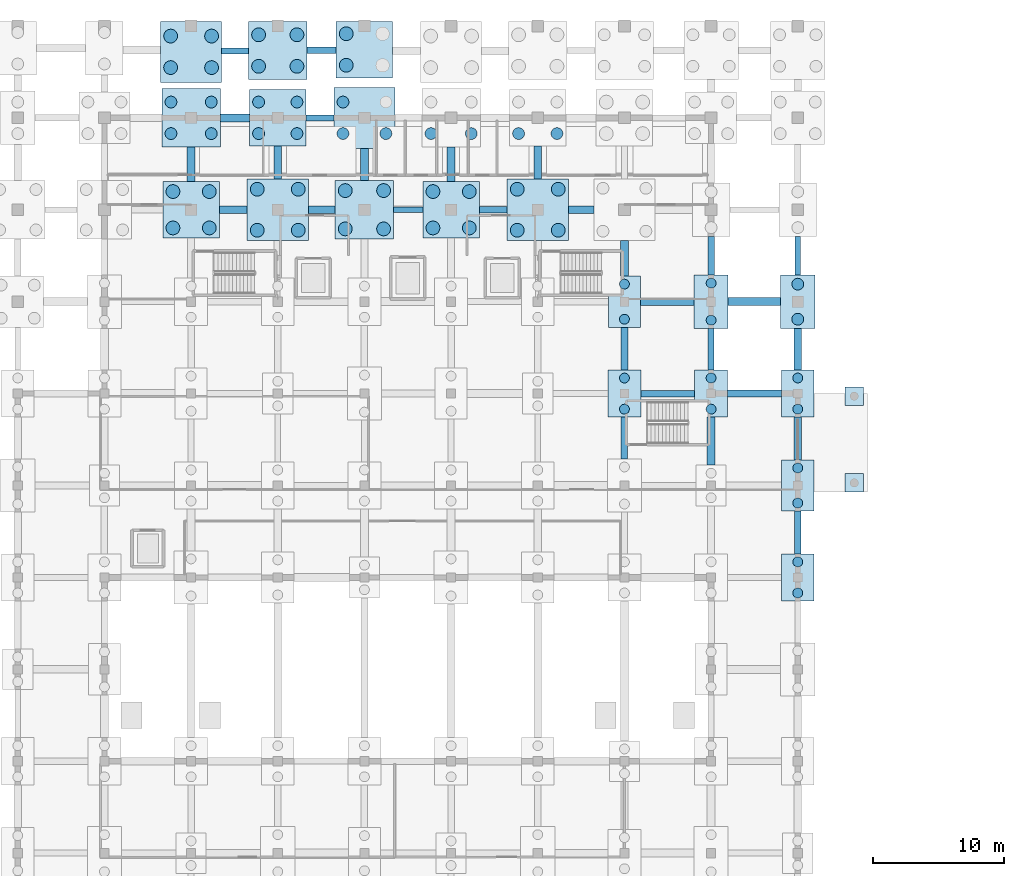
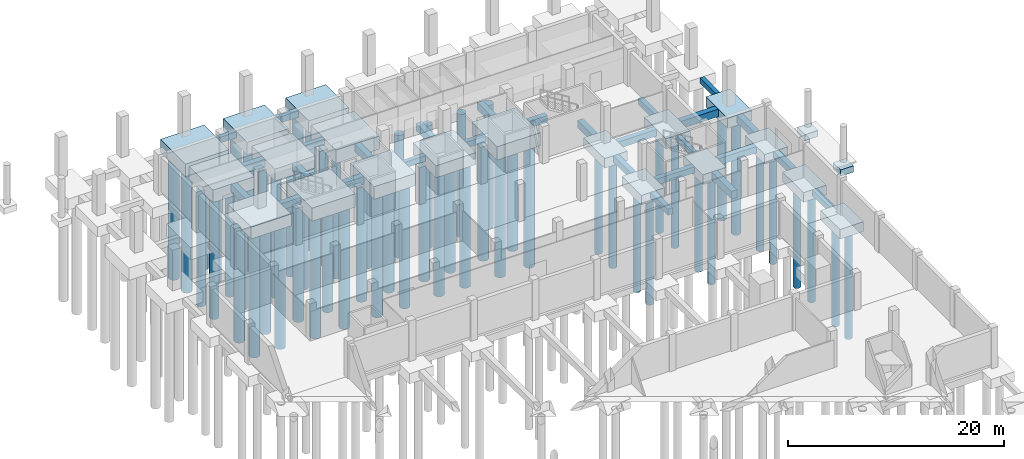
# One storey, part 10 of 27: 61 piles, 49 footings.
"""IFC4 building model written with IfcOpenShell, lengths in metres."""

from ifc_helpers import new_model, si_unit, direction, frame, origin, origin_2d, place, context, subcontext, project, spatial, rectangle, circle, extrude, material, material_profile, profile_set, type_object, element, save


model = new_model("IFC4")

# Units and contexts
model_context = context("Model", 3, precision=1e-05, world=origin(), true_north=direction((0.0, 1.0)))
body_context = subcontext(model_context, "Body", "Model", "MODEL_VIEW")
ifc_project = project(units=[si_unit("LENGTHUNIT", "METRE"), si_unit("AREAUNIT", "SQUARE_METRE"), si_unit("VOLUMEUNIT", "CUBIC_METRE"), si_unit("PLANEANGLEUNIT", "RADIAN"), si_unit("MASSUNIT", "GRAM", prefix="KILO")], contexts=[model_context])

# Site, building, storey
site_placement = place(None, origin())
site = spatial("IfcSite", under=ifc_project, at=site_placement, CompositionType="ELEMENT")
building_placement = place(site_placement, origin())
building = spatial("IfcBuilding", under=site, at=building_placement, Name="Ciguamira Faculty of Natural Sciences", CompositionType="ELEMENT")
storey_placement = place(building_placement, frame((0.0, 0.0, -4.199951171875)))
storey = spatial("IfcBuildingStorey", under=building, at=storey_placement, Name="B1", CompositionType="ELEMENT", Elevation=-4.199951171875)

# Piles
ifc_material = material(Name="Concrete C35/45", Category="concrete")
ifc_material_profile_1 = material_profile(ifc_material, circle(Radius=0.375, at=origin_2d()), Name="PILE-BORED-750")
ifc_profile_set_1 = profile_set([ifc_material_profile_1], Name="Concrete C35/45")
pile_type_1 = type_object("IfcPileType", Name="BoredPile_BP-02_750", PredefinedType="BORED", material=ifc_profile_set_1)
for number, where, z_axis, x_axis, name in (
    (1, (103.5, 85.81494140625, -1.400146484375), (0.0, 0.0, -1.0), (1.0, 0.0, 0.0), "B1 bored pile 147-1"),
    (2, (103.5, 88.18505859375, -1.400146484375), (0.0, 0.0, -1.0), (1.0, 0.0, 0.0), "B1 bored pile 147-2"),
    (3, (103.5, 92.6650390625, -1.400146484375), (0.0, 0.0, -1.0), (1.0, 0.0, 0.0), "B1 bored pile 148-1"),
    (4, (103.5, 95.3349609375, -1.400146484375), (0.0, 0.0, -1.0), (1.0, 0.0, 0.0), "B1 bored pile 148-2"),
    (5, (110.10009765625, 85.81494140625, -1.400146484375), (0.0, 0.0, -1.0), (1.0, 0.0, 0.0), "B1 bored pile 163-1"),
    (6, (110.10009765625, 88.18505859375, -1.400146484375), (0.0, 0.0, -1.0), (1.0, 0.0, 0.0), "B1 bored pile 163-2"),
):
    element("IfcPile", number, at=place(storey_placement, frame(where, z_axis=z_axis, x_axis=x_axis)), inside=storey, type_object=pile_type_1, Name=name, PredefinedType="BORED", context=body_context, shape_type="SweptSolid", body=[
        extrude(circle(Radius=0.375, at=origin_2d()), origin(), (0.0, 0.0, 1.0), 12.0),
    ])
for number, where, z_axis, x_axis, name in (
    (7, (110.10009765625, 92.590087890625, -1.449951171875), (0.0, 0.0, -1.0), (1.0, 0.0, 0.0), "B1 bored pile 164-1"),
    (8, (110.10009765625, 95.409912109375, -1.449951171875), (0.0, 0.0, -1.0), (1.0, 0.0, 0.0), "B1 bored pile 164-2"),
):
    element("IfcPile", number, at=place(storey_placement, frame(where, z_axis=z_axis, x_axis=x_axis)), inside=storey, type_object=pile_type_1, Name=name, PredefinedType="BORED", context=body_context, shape_type="SweptSolid", body=[
        extrude(circle(Radius=0.375, at=origin_2d()), origin(), (0.0, 0.0, 1.0), 11.949951171875),
    ])
for number, where, z_axis, x_axis, name in (
    (9, (116.699951171875, 71.81494140625, -1.400146484375), (0.0, 0.0, -1.0), (1.0, 0.0, 0.0), "B1 bored pile 177-1"),
    (10, (116.699951171875, 74.18505859375, -1.400146484375), (0.0, 0.0, -1.0), (1.0, 0.0, 0.0), "B1 bored pile 177-2"),
    (11, (116.699951171875, 78.6650390625, -1.400146484375), (0.0, 0.0, -1.0), (1.0, 0.0, 0.0), "B1 bored pile 178-1"),
    (12, (116.699951171875, 81.3349609375, -1.400146484375), (0.0, 0.0, -1.0), (1.0, 0.0, 0.0), "B1 bored pile 178-2"),
    (13, (116.699951171875, 85.81494140625, -1.400146484375), (0.0, 0.0, -1.0), (1.0, 0.0, 0.0), "B1 bored pile 179-1"),
    (14, (116.699951171875, 88.18505859375, -1.400146484375), (0.0, 0.0, -1.0), (1.0, 0.0, 0.0), "B1 bored pile 179-2"),
):
    element("IfcPile", number, at=place(storey_placement, frame(where, z_axis=z_axis, x_axis=x_axis)), inside=storey, type_object=pile_type_1, Name=name, PredefinedType="BORED", context=body_context, shape_type="SweptSolid", body=[
        extrude(circle(Radius=0.375, at=origin_2d()), origin(), (0.0, 0.0, 1.0), 12.0),
    ])
ifc_material_profile_2 = material_profile(ifc_material, circle(Radius=0.449951171875, at=origin_2d()), Name="PILE-BORED-900")
ifc_profile_set_2 = profile_set([ifc_material_profile_2], Name="Concrete C35/45")
pile_type_2 = type_object("IfcPileType", Name="BoredPile_BP-03_900", PredefinedType="BORED", material=ifc_profile_set_2)
for number, where, z_axis, x_axis, name in (
    (15, (68.965087890625, 106.800048828125, -1.699951171875), (0.0, 0.0, -1.0), (1.0, 0.0, 0.0), "B1 bored pile 079-1"),
    (16, (72.034912109375, 106.800048828125, -1.699951171875), (0.0, 0.0, -1.0), (1.0, 0.0, 0.0), "B1 bored pile 079-2"),
    (17, (68.965087890625, 109.199951171875, -1.699951171875), (0.0, 0.0, -1.0), (1.0, 0.0, 0.0), "B1 bored pile 079-3"),
    (18, (72.034912109375, 109.199951171875, -1.699951171875), (0.0, 0.0, -1.0), (1.0, 0.0, 0.0), "B1 bored pile 079-4"),
):
    element("IfcPile", number, at=place(storey_placement, frame(where, z_axis=z_axis, x_axis=x_axis)), inside=storey, type_object=pile_type_2, Name=name, PredefinedType="BORED", context=body_context, shape_type="SweptSolid", body=[
        extrude(circle(Radius=0.449951171875, at=origin_2d()), origin(), (0.0, 0.0, 1.0), 13.89990234375),
    ])
for number, where, z_axis, x_axis, name in (
    (19, (75.639892578125, 106.800048828125, -1.650146484375), (0.0, 0.0, -1.0), (1.0, 0.0, 0.0), "B1 bored pile 093-1"),
    (20, (78.56005859375, 106.800048828125, -1.650146484375), (0.0, 0.0, -1.0), (1.0, 0.0, 0.0), "B1 bored pile 093-2"),
    (21, (75.639892578125, 109.199951171875, -1.650146484375), (0.0, 0.0, -1.0), (1.0, 0.0, 0.0), "B1 bored pile 093-3"),
    (22, (78.56005859375, 109.199951171875, -1.650146484375), (0.0, 0.0, -1.0), (1.0, 0.0, 0.0), "B1 bored pile 093-4"),
):
    element("IfcPile", number, at=place(storey_placement, frame(where, z_axis=z_axis, x_axis=x_axis)), inside=storey, type_object=pile_type_2, Name=name, PredefinedType="BORED", context=body_context, shape_type="SweptSolid", body=[
        extrude(circle(Radius=0.449951171875, at=origin_2d()), origin(), (0.0, 0.0, 1.0), 13.949951171875),
    ])
for number, where, z_axis, x_axis, name in (
    (23, (82.06494140625, 106.800048828125, -1.800048828125), (0.0, 0.0, -1.0), (1.0, 0.0, 0.0), "B1 bored pile 107-1"),
    (24, (85.3349609375, 106.800048828125, -1.800048828125), (0.0, 0.0, -1.0), (1.0, 0.0, 0.0), "B1 bored pile 107-2"),
    (25, (82.06494140625, 109.199951171875, -1.800048828125), (0.0, 0.0, -1.0), (1.0, 0.0, 0.0), "B1 bored pile 107-3"),
):
    element("IfcPile", number, at=place(storey_placement, frame(where, z_axis=z_axis, x_axis=x_axis)), inside=storey, type_object=pile_type_2, Name=name, PredefinedType="BORED", context=body_context, shape_type="SweptSolid", body=[
        extrude(circle(Radius=0.449951171875, at=origin_2d()), origin(), (0.0, 0.0, 1.0), 13.800048828125),
    ])
for number, where, z_axis, x_axis, name in (
    (26, (88.764892578125, 106.800048828125, -1.699951171875), (0.0, 0.0, -1.0), (1.0, 0.0, 0.0), "B1 bored pile 121-1"),
    (27, (91.8349609375, 106.800048828125, -1.699951171875), (0.0, 0.0, -1.0), (1.0, 0.0, 0.0), "B1 bored pile 121-2"),
):
    element("IfcPile", number, at=place(storey_placement, frame(where, z_axis=z_axis, x_axis=x_axis)), inside=storey, type_object=pile_type_2, Name=name, PredefinedType="BORED", context=body_context, shape_type="SweptSolid", body=[
        extrude(circle(Radius=0.449951171875, at=origin_2d()), origin(), (0.0, 0.0, 1.0), 13.89990234375),
    ])
for number, where, z_axis, x_axis, name in (
    (28, (95.43994140625, 106.800048828125, -1.650146484375), (0.0, 0.0, -1.0), (1.0, 0.0, 0.0), "B1 bored pile 135-1"),
    (29, (98.360107421875, 106.800048828125, -1.650146484375), (0.0, 0.0, -1.0), (1.0, 0.0, 0.0), "B1 bored pile 135-2"),
):
    element("IfcPile", number, at=place(storey_placement, frame(where, z_axis=z_axis, x_axis=x_axis)), inside=storey, type_object=pile_type_2, Name=name, PredefinedType="BORED", context=body_context, shape_type="SweptSolid", body=[
        extrude(circle(Radius=0.449951171875, at=origin_2d()), origin(), (0.0, 0.0, 1.0), 13.949951171875),
    ])
for number, where, z_axis, x_axis, name in (
    (30, (116.699951171875, 92.6650390625, -1.449951171875), (0.0, 0.0, -1.0), (1.0, 0.0, 0.0), "B1 bored pile 180-1"),
    (31, (116.699951171875, 95.3349609375, -1.449951171875), (0.0, 0.0, -1.0), (1.0, 0.0, 0.0), "B1 bored pile 180-2"),
):
    element("IfcPile", number, at=place(storey_placement, frame(where, z_axis=z_axis, x_axis=x_axis)), inside=storey, type_object=pile_type_2, Name=name, PredefinedType="BORED", context=body_context, shape_type="SweptSolid", body=[
        extrude(circle(Radius=0.449951171875, at=origin_2d()), origin(), (0.0, 0.0, 1.0), 12.75),
    ])
ifc_material_profile_3 = material_profile(ifc_material, circle(Radius=0.52490234375, at=origin_2d()), Name="PILE-BORED-1050")
ifc_profile_set_3 = profile_set([ifc_material_profile_3], Name="Concrete C35/45")
pile_type_3 = type_object("IfcPileType", Name="BoredPile_BP-04_1050", PredefinedType="BORED", material=ifc_profile_set_3)
for number, where, z_axis, x_axis, name in (
    (32, (69.114990234375, 99.614990234375, -1.650146484375), (0.0, 0.0, -1.0), (1.0, 0.0, 0.0), "B1 bored pile 078-1"),
    (33, (71.885009765625, 99.614990234375, -1.650146484375), (0.0, 0.0, -1.0), (1.0, 0.0, 0.0), "B1 bored pile 078-2"),
    (34, (69.114990234375, 102.385009765625, -1.650146484375), (0.0, 0.0, -1.0), (1.0, 0.0, 0.0), "B1 bored pile 078-3"),
    (35, (71.885009765625, 102.385009765625, -1.650146484375), (0.0, 0.0, -1.0), (1.0, 0.0, 0.0), "B1 bored pile 078-4"),
):
    element("IfcPile", number, at=place(storey_placement, frame(where, z_axis=z_axis, x_axis=x_axis)), inside=storey, type_object=pile_type_3, Name=name, PredefinedType="BORED", context=body_context, shape_type="SweptSolid", body=[
        extrude(circle(Radius=0.52490234375, at=origin_2d()), origin(), (0.0, 0.0, 1.0), 13.949951171875),
    ])
for number, where, z_axis, x_axis, name in (
    (36, (68.93994140625, 111.824951171875, -1.800048828125), (0.0, 0.0, -1.0), (1.0, 0.0, 0.0), "B1 bored pile 080-1"),
    (37, (72.06005859375, 111.824951171875, -1.800048828125), (0.0, 0.0, -1.0), (1.0, 0.0, 0.0), "B1 bored pile 080-2"),
    (38, (68.93994140625, 114.22509765625, -1.800048828125), (0.0, 0.0, -1.0), (1.0, 0.0, 0.0), "B1 bored pile 080-3"),
    (39, (72.06005859375, 114.22509765625, -1.800048828125), (0.0, 0.0, -1.0), (1.0, 0.0, 0.0), "B1 bored pile 080-4"),
    (40, (75.5400390625, 99.43994140625, -1.800048828125), (0.0, 0.0, -1.0), (1.0, 0.0, 0.0), "B1 bored pile 092-1"),
    (41, (78.659912109375, 99.43994140625, -1.800048828125), (0.0, 0.0, -1.0), (1.0, 0.0, 0.0), "B1 bored pile 092-2"),
    (42, (75.5400390625, 102.56005859375, -1.800048828125), (0.0, 0.0, -1.0), (1.0, 0.0, 0.0), "B1 bored pile 092-3"),
    (43, (78.659912109375, 102.56005859375, -1.800048828125), (0.0, 0.0, -1.0), (1.0, 0.0, 0.0), "B1 bored pile 092-4"),
):
    element("IfcPile", number, at=place(storey_placement, frame(where, z_axis=z_axis, x_axis=x_axis)), inside=storey, type_object=pile_type_3, Name=name, PredefinedType="BORED", context=body_context, shape_type="SweptSolid", body=[
        extrude(circle(Radius=0.52490234375, at=origin_2d()), origin(), (0.0, 0.0, 1.0), 13.800048828125),
    ])
for number, where, z_axis, x_axis, name in (
    (44, (75.639892578125, 111.925048828125, -1.699951171875), (0.0, 0.0, -1.0), (1.0, 0.0, 0.0), "B1 bored pile 094-1"),
    (45, (78.56005859375, 111.925048828125, -1.699951171875), (0.0, 0.0, -1.0), (1.0, 0.0, 0.0), "B1 bored pile 094-2"),
    (46, (75.639892578125, 114.324951171875, -1.699951171875), (0.0, 0.0, -1.0), (1.0, 0.0, 0.0), "B1 bored pile 094-3"),
    (47, (78.56005859375, 114.324951171875, -1.699951171875), (0.0, 0.0, -1.0), (1.0, 0.0, 0.0), "B1 bored pile 094-4"),
    (48, (82.239990234375, 99.5400390625, -1.699951171875), (0.0, 0.0, -1.0), (1.0, 0.0, 0.0), "B1 bored pile 106-1"),
    (49, (85.159912109375, 99.5400390625, -1.699951171875), (0.0, 0.0, -1.0), (1.0, 0.0, 0.0), "B1 bored pile 106-2"),
    (50, (82.239990234375, 102.4599609375, -1.699951171875), (0.0, 0.0, -1.0), (1.0, 0.0, 0.0), "B1 bored pile 106-3"),
    (51, (85.159912109375, 102.4599609375, -1.699951171875), (0.0, 0.0, -1.0), (1.0, 0.0, 0.0), "B1 bored pile 106-4"),
):
    element("IfcPile", number, at=place(storey_placement, frame(where, z_axis=z_axis, x_axis=x_axis)), inside=storey, type_object=pile_type_3, Name=name, PredefinedType="BORED", context=body_context, shape_type="SweptSolid", body=[
        extrude(circle(Radius=0.52490234375, at=origin_2d()), origin(), (0.0, 0.0, 1.0), 13.89990234375),
    ])
for number, where, z_axis, x_axis, name in (
    (52, (82.31494140625, 112.0, -1.650146484375), (0.0, 0.0, -1.0), (1.0, 0.0, 0.0), "B1 bored pile 108-1"),
    (53, (82.31494140625, 114.39990234375, -1.650146484375), (0.0, 0.0, -1.0), (1.0, 0.0, 0.0), "B1 bored pile 108-3"),
    (54, (88.9150390625, 99.614990234375, -1.650146484375), (0.0, 0.0, -1.0), (1.0, 0.0, 0.0), "B1 bored pile 120-1"),
    (55, (91.68505859375, 99.614990234375, -1.650146484375), (0.0, 0.0, -1.0), (1.0, 0.0, 0.0), "B1 bored pile 120-2"),
    (56, (88.9150390625, 102.385009765625, -1.650146484375), (0.0, 0.0, -1.0), (1.0, 0.0, 0.0), "B1 bored pile 120-3"),
    (57, (91.68505859375, 102.385009765625, -1.650146484375), (0.0, 0.0, -1.0), (1.0, 0.0, 0.0), "B1 bored pile 120-4"),
):
    element("IfcPile", number, at=place(storey_placement, frame(where, z_axis=z_axis, x_axis=x_axis)), inside=storey, type_object=pile_type_3, Name=name, PredefinedType="BORED", context=body_context, shape_type="SweptSolid", body=[
        extrude(circle(Radius=0.52490234375, at=origin_2d()), origin(), (0.0, 0.0, 1.0), 13.949951171875),
    ])
for number, where, z_axis, x_axis, name in (
    (58, (95.340087890625, 99.43994140625, -1.800048828125), (0.0, 0.0, -1.0), (1.0, 0.0, 0.0), "B1 bored pile 134-1"),
    (59, (98.4599609375, 99.43994140625, -1.800048828125), (0.0, 0.0, -1.0), (1.0, 0.0, 0.0), "B1 bored pile 134-2"),
    (60, (95.340087890625, 102.56005859375, -1.800048828125), (0.0, 0.0, -1.0), (1.0, 0.0, 0.0), "B1 bored pile 134-3"),
    (61, (98.4599609375, 102.56005859375, -1.800048828125), (0.0, 0.0, -1.0), (1.0, 0.0, 0.0), "B1 bored pile 134-4"),
):
    element("IfcPile", number, at=place(storey_placement, frame(where, z_axis=z_axis, x_axis=x_axis)), inside=storey, type_object=pile_type_3, Name=name, PredefinedType="BORED", context=body_context, shape_type="SweptSolid", body=[
        extrude(circle(Radius=0.52490234375, at=origin_2d()), origin(), (0.0, 0.0, 1.0), 13.800048828125),
    ])

# Footings
ifc_material_profile_4 = material_profile(ifc_material, rectangle(XDim=0.449951171875, YDim=0.64990234375, at=origin_2d()), Name="RC-FB-450X650")
ifc_profile_set_4 = profile_set([ifc_material_profile_4], Name="Concrete C35/45")
footing_type_1 = type_object("IfcFootingType", Name="FootingBeam_FB-01_450x650", PredefinedType="FOOTING_BEAM", material=ifc_profile_set_4)
footing_1_placement = place(storey_placement, frame((85.925048828125, 101.0, -0.72509765625), z_axis=(1.0, 0.0, 0.0), x_axis=(0.0, 1.0, 0.0)))
element("IfcFooting", 62, at=footing_1_placement, inside=storey, type_object=footing_type_1, Name="B1 ground tie beam 0169", PredefinedType="FOOTING_BEAM", context=body_context, shape_type="SweptSolid", body=[
    extrude(rectangle(XDim=0.449951171875, YDim=0.64990234375, at=origin_2d()), origin(), (0.0, 0.0, 1.0), 2.224853515625),
])
footing_2_placement = place(storey_placement, frame((79.25, 108.0, -0.72509765625), z_axis=(1.0, 0.0, 0.0), x_axis=(0.0, 1.0, 0.0)))
element("IfcFooting", 63, at=footing_2_placement, inside=storey, type_object=footing_type_1, Name="B1 ground tie beam 0177", PredefinedType="FOOTING_BEAM", context=body_context, shape_type="SweptSolid", body=[
    extrude(rectangle(XDim=0.449951171875, YDim=0.64990234375, at=origin_2d()), origin(), (0.0, 0.0, 1.0), 2.125),
])
footing_3_placement = place(storey_placement, frame((72.824951171875, 113.074951171875, -0.72509765625), z_axis=(1.0, 0.0, 0.0), x_axis=(0.0, 1.0, 0.0)))
element("IfcFooting", 64, at=footing_3_placement, inside=storey, type_object=footing_type_1, Name="B1 ground tie beam 0185", PredefinedType="FOOTING_BEAM", context=body_context, shape_type="SweptSolid", body=[
    extrude(rectangle(XDim=0.449951171875, YDim=0.64990234375, at=origin_2d()), origin(), (0.0, 0.0, 1.0), 2.050048828125),
])
footing_4_placement = place(storey_placement, frame((110.10009765625, 88.800048828125, -0.72509765625), z_axis=(0.0, 1.0, 0.0), x_axis=(-1.0, 0.0, 0.0)))
element("IfcFooting", 65, at=footing_4_placement, inside=storey, type_object=footing_type_1, Name="B1 ground tie beam 0333", PredefinedType="FOOTING_BEAM", context=body_context, shape_type="SweptSolid", body=[
    extrude(rectangle(XDim=0.449951171875, YDim=0.64990234375, at=origin_2d()), origin(), (0.0, 0.0, 1.0), 3.175048828125),
])
footing_5_placement = place(storey_placement, frame((116.699951171875, 96.02490234375, -0.72509765625), z_axis=(0.0, 1.0, 0.0), x_axis=(-1.0, 0.0, 0.0)))
element("IfcFooting", 66, at=footing_5_placement, inside=storey, type_object=footing_type_1, Name="B1 ground tie beam 0349", PredefinedType="FOOTING_BEAM", context=body_context, shape_type="SweptSolid", body=[
    extrude(rectangle(XDim=0.449951171875, YDim=0.64990234375, at=origin_2d()), origin(), (0.0, 0.0, 1.0), 2.925048828125),
])
ifc_material_profile_5 = material_profile(ifc_material, rectangle(XDim=0.5, YDim=0.699951171875, at=origin_2d()), Name="RC-FB-500X700")
ifc_profile_set_5 = profile_set([ifc_material_profile_5], Name="Concrete C35/45")
footing_type_2 = type_object("IfcFootingType", Name="FootingBeam_FB-02_500x700", PredefinedType="FOOTING_BEAM", material=ifc_profile_set_5)
footing_6_placement = place(storey_placement, frame((104.75, 87.0, -0.75), z_axis=(1.0, 0.0, 0.0), x_axis=(0.0, 1.0, 0.0)))
element("IfcFooting", 67, at=footing_6_placement, inside=storey, type_object=footing_type_2, Name="B1 ground tie beam 0154", PredefinedType="FOOTING_BEAM", context=body_context, shape_type="SweptSolid", body=[
    extrude(rectangle(XDim=0.5, YDim=0.699951171875, at=origin_2d()), origin(), (0.0, 0.0, 1.0), 4.10009765625),
])
footing_7_placement = place(storey_placement, frame((92.449951171875, 101.0, -0.75), z_axis=(1.0, 0.0, 0.0), x_axis=(0.0, 1.0, 0.0)))
element("IfcFooting", 68, at=footing_7_placement, inside=storey, type_object=footing_type_2, Name="B1 ground tie beam 0170", PredefinedType="FOOTING_BEAM", context=body_context, shape_type="SweptSolid", body=[
    extrude(rectangle(XDim=0.5, YDim=0.699951171875, at=origin_2d()), origin(), (0.0, 0.0, 1.0), 2.125),
])
footing_8_placement = place(storey_placement, frame((79.324951171875, 113.16259765625, -0.75), z_axis=(1.0, 0.0, 0.0), x_axis=(0.0, 1.0, 0.0)))
element("IfcFooting", 69, at=footing_8_placement, inside=storey, type_object=footing_type_2, Name="B1 ground tie beam 0186", PredefinedType="FOOTING_BEAM", context=body_context, shape_type="SweptSolid", body=[
    extrude(rectangle(XDim=0.5, YDim=0.699951171875, at=origin_2d()), origin(), (0.0, 0.0, 1.0), 2.22509765625),
])
footing_9_placement = place(storey_placement, frame((103.5, 82.02490234375, -0.75), z_axis=(0.0, 1.0, 0.0), x_axis=(-1.0, 0.0, 0.0)))
element("IfcFooting", 70, at=footing_9_placement, inside=storey, type_object=footing_type_2, Name="B1 ground tie beam 0318", PredefinedType="FOOTING_BEAM", context=body_context, shape_type="SweptSolid", body=[
    extrude(rectangle(XDim=0.5, YDim=0.699951171875, at=origin_2d()), origin(), (0.0, 0.0, 1.0), 3.175048828125),
])
footing_10_placement = place(storey_placement, frame((110.10009765625, 96.02490234375, -0.75), z_axis=(0.0, 1.0, 0.0), x_axis=(-1.0, 0.0, 0.0)))
element("IfcFooting", 71, at=footing_10_placement, inside=storey, type_object=footing_type_2, Name="B1 ground tie beam 0334", PredefinedType="FOOTING_BEAM", context=body_context, shape_type="SweptSolid", body=[
    extrude(rectangle(XDim=0.5, YDim=0.699951171875, at=origin_2d()), origin(), (0.0, 0.0, 1.0), 2.925048828125),
])
footing_11_placement = place(storey_placement, frame((116.699951171875, 74.800048828125, -0.75), z_axis=(0.0, 1.0, 0.0), x_axis=(-1.0, 0.0, 0.0)))
element("IfcFooting", 72, at=footing_11_placement, inside=storey, type_object=footing_type_2, Name="B1 ground tie beam 0346", PredefinedType="FOOTING_BEAM", context=body_context, shape_type="SweptSolid", body=[
    extrude(rectangle(XDim=0.5, YDim=0.699951171875, at=origin_2d()), origin(), (0.0, 0.0, 1.0), 3.25),
])
ifc_material_profile_6 = material_profile(ifc_material, rectangle(XDim=0.550048828125, YDim=0.75, at=origin_2d()), Name="RC-FB-550X750")
ifc_profile_set_6 = profile_set([ifc_material_profile_6], Name="Concrete C35/45")
footing_type_3 = type_object("IfcFootingType", Name="FootingBeam_FB-03_550x750", PredefinedType="FOOTING_BEAM", material=ifc_profile_set_6)
footing_12_placement = place(storey_placement, frame((111.35009765625, 87.0, -0.775146484375), z_axis=(1.0, 0.0, 0.0), x_axis=(0.0, 1.0, 0.0)))
element("IfcFooting", 73, at=footing_12_placement, inside=storey, type_object=footing_type_3, Name="B1 ground tie beam 0155", PredefinedType="FOOTING_BEAM", context=body_context, shape_type="SweptSolid", body=[
    extrude(rectangle(XDim=0.550048828125, YDim=0.75, at=origin_2d()), origin(), (0.0, 0.0, 1.0), 4.099853515625),
])
footing_13_placement = place(storey_placement, frame((104.72509765625, 94.0, -0.775146484375), z_axis=(1.0, 0.0, 0.0), x_axis=(0.0, 1.0, 0.0)))
element("IfcFooting", 74, at=footing_13_placement, inside=storey, type_object=footing_type_3, Name="B1 ground tie beam 0163", PredefinedType="FOOTING_BEAM", context=body_context, shape_type="SweptSolid", body=[
    extrude(rectangle(XDim=0.550048828125, YDim=0.75, at=origin_2d()), origin(), (0.0, 0.0, 1.0), 4.074951171875),
])
footing_14_placement = place(storey_placement, frame((72.64990234375, 101.0, -0.775146484375), z_axis=(1.0, 0.0, 0.0), x_axis=(0.0, 1.0, 0.0)))
element("IfcFooting", 75, at=footing_14_placement, inside=storey, type_object=footing_type_3, Name="B1 ground tie beam 0167", PredefinedType="FOOTING_BEAM", context=body_context, shape_type="SweptSolid", body=[
    extrude(rectangle(XDim=0.550048828125, YDim=0.75, at=origin_2d()), origin(), (0.0, 0.0, 1.0), 2.125),
])
footing_15_placement = place(storey_placement, frame((99.22509765625, 101.0, -0.775146484375), z_axis=(1.0, 0.0, 0.0), x_axis=(0.0, 1.0, 0.0)))
element("IfcFooting", 76, at=footing_15_placement, inside=storey, type_object=footing_type_3, Name="B1 ground tie beam 0171", PredefinedType="FOOTING_BEAM", context=body_context, shape_type="SweptSolid", body=[
    extrude(rectangle(XDim=0.550048828125, YDim=0.75, at=origin_2d()), origin(), (0.0, 0.0, 1.0), 1.949951171875),
])
for number, where, z_axis, x_axis, name in (
    (77, (103.5, 88.800048828125, -0.775146484375), (0.0, 1.0, 0.0), (-1.0, 0.0, 0.0), "B1 ground tie beam 0319"),
    (78, (116.699951171875, 81.949951171875, -0.775146484375), (0.0, 1.0, 0.0), (-1.0, 0.0, 0.0), "B1 ground tie beam 0347"),
):
    element("IfcFooting", number, at=place(storey_placement, frame(where, z_axis=z_axis, x_axis=x_axis)), inside=storey, type_object=footing_type_3, Name=name, PredefinedType="FOOTING_BEAM", context=body_context, shape_type="SweptSolid", body=[
        extrude(rectangle(XDim=0.550048828125, YDim=0.75, at=origin_2d()), origin(), (0.0, 0.0, 1.0), 3.25),
    ])
ifc_material_profile_7 = material_profile(ifc_material, rectangle(XDim=0.60009765625, YDim=0.85009765625, at=origin_2d()), Name="RC-FB-600X850")
ifc_profile_set_7 = profile_set([ifc_material_profile_7], Name="Concrete C35/45")
footing_type_4 = type_object("IfcFootingType", Name="FootingBeam_FB-04_600x850", PredefinedType="FOOTING_BEAM", material=ifc_profile_set_7)
footing_16_placement = place(storey_placement, frame((111.39990234375, 94.0, -0.824951171875), z_axis=(1.0, 0.0, 0.0), x_axis=(0.0, 1.0, 0.0)))
element("IfcFooting", 79, at=footing_16_placement, inside=storey, type_object=footing_type_4, Name="B1 ground tie beam 0164", PredefinedType="FOOTING_BEAM", context=body_context, shape_type="SweptSolid", body=[
    extrude(rectangle(XDim=0.60009765625, YDim=0.85009765625, at=origin_2d()), origin(), (0.0, 0.0, 1.0), 4.0),
])
footing_17_placement = place(storey_placement, frame((79.425048828125, 101.0, -0.824951171875), z_axis=(1.0, 0.0, 0.0), x_axis=(0.0, 1.0, 0.0)))
element("IfcFooting", 80, at=footing_17_placement, inside=storey, type_object=footing_type_4, Name="B1 ground tie beam 0168", PredefinedType="FOOTING_BEAM", context=body_context, shape_type="SweptSolid", body=[
    extrude(rectangle(XDim=0.60009765625, YDim=0.85009765625, at=origin_2d()), origin(), (0.0, 0.0, 1.0), 2.050048828125),
])
footing_18_placement = place(storey_placement, frame((72.72509765625, 108.0, -0.824951171875), z_axis=(1.0, 0.0, 0.0), x_axis=(0.0, 1.0, 0.0)))
element("IfcFooting", 81, at=footing_18_placement, inside=storey, type_object=footing_type_4, Name="B1 ground tie beam 0176", PredefinedType="FOOTING_BEAM", context=body_context, shape_type="SweptSolid", body=[
    extrude(rectangle(XDim=0.60009765625, YDim=0.85009765625, at=origin_2d()), origin(), (0.0, 0.0, 1.0), 2.224853515625),
])
footing_19_placement = place(storey_placement, frame((70.5, 103.14990234375, -0.824951171875), z_axis=(0.0, 1.0, 0.0), x_axis=(-1.0, 0.0, 0.0)))
element("IfcFooting", 82, at=footing_19_placement, inside=storey, type_object=footing_type_4, Name="B1 ground tie beam 0260", PredefinedType="FOOTING_BEAM", context=body_context, shape_type="SweptSolid", body=[
    extrude(rectangle(XDim=0.60009765625, YDim=0.85009765625, at=origin_2d()), origin(), (0.0, 0.0, 1.0), 2.625),
])
footing_20_placement = place(storey_placement, frame((77.10009765625, 103.324951171875, -0.824951171875), z_axis=(0.0, 1.0, 0.0), x_axis=(-1.0, 0.0, 0.0)))
element("IfcFooting", 83, at=footing_20_placement, inside=storey, type_object=footing_type_4, Name="B1 ground tie beam 0272", PredefinedType="FOOTING_BEAM", context=body_context, shape_type="SweptSolid", body=[
    extrude(rectangle(XDim=0.60009765625, YDim=0.85009765625, at=origin_2d()), origin(), (0.0, 0.0, 1.0), 2.525146484375),
])
footing_21_placement = place(storey_placement, frame((83.699951171875, 103.22509765625, -0.824951171875), z_axis=(0.0, 1.0, 0.0), x_axis=(-1.0, 0.0, 0.0)))
element("IfcFooting", 84, at=footing_21_placement, inside=storey, type_object=footing_type_4, Name="B1 ground tie beam 0284", PredefinedType="FOOTING_BEAM", context=body_context, shape_type="SweptSolid", body=[
    extrude(rectangle(XDim=0.60009765625, YDim=0.85009765625, at=origin_2d()), origin(), (0.0, 0.0, 1.0), 2.449951171875),
])
footing_22_placement = place(storey_placement, frame((90.300048828125, 103.14990234375, -0.824951171875), z_axis=(0.0, 1.0, 0.0), x_axis=(-1.0, 0.0, 0.0)))
element("IfcFooting", 85, at=footing_22_placement, inside=storey, type_object=footing_type_4, Name="B1 ground tie beam 0296", PredefinedType="FOOTING_BEAM", context=body_context, shape_type="SweptSolid", body=[
    extrude(rectangle(XDim=0.60009765625, YDim=0.85009765625, at=origin_2d()), origin(), (0.0, 0.0, 1.0), 2.625),
])
footing_23_placement = place(storey_placement, frame((96.89990234375, 103.324951171875, -0.824951171875), z_axis=(0.0, 1.0, 0.0), x_axis=(-1.0, 0.0, 0.0)))
element("IfcFooting", 86, at=footing_23_placement, inside=storey, type_object=footing_type_4, Name="B1 ground tie beam 0308", PredefinedType="FOOTING_BEAM", context=body_context, shape_type="SweptSolid", body=[
    extrude(rectangle(XDim=0.60009765625, YDim=0.85009765625, at=origin_2d()), origin(), (0.0, 0.0, 1.0), 2.525146484375),
])
footing_24_placement = place(storey_placement, frame((103.5, 95.949951171875, -0.824951171875), z_axis=(0.0, 1.0, 0.0), x_axis=(-1.0, 0.0, 0.0)))
element("IfcFooting", 87, at=footing_24_placement, inside=storey, type_object=footing_type_4, Name="B1 ground tie beam 0320", PredefinedType="FOOTING_BEAM", context=body_context, shape_type="SweptSolid", body=[
    extrude(rectangle(XDim=0.60009765625, YDim=0.85009765625, at=origin_2d()), origin(), (0.0, 0.0, 1.0), 2.72509765625),
])
footing_25_placement = place(storey_placement, frame((110.10009765625, 81.550048828125, -0.824951171875), z_axis=(0.0, 1.0, 0.0), x_axis=(-1.0, 0.0, 0.0)))
element("IfcFooting", 88, at=footing_25_placement, inside=storey, type_object=footing_type_4, Name="B1 ground tie beam 0332", PredefinedType="FOOTING_BEAM", context=body_context, shape_type="SweptSolid", body=[
    extrude(rectangle(XDim=0.60009765625, YDim=0.85009765625, at=origin_2d()), origin(), (0.0, 0.0, 1.0), 3.64990234375),
])
footing_26_placement = place(storey_placement, frame((116.699951171875, 88.800048828125, -0.824951171875), z_axis=(0.0, 1.0, 0.0), x_axis=(-1.0, 0.0, 0.0)))
element("IfcFooting", 89, at=footing_26_placement, inside=storey, type_object=footing_type_4, Name="B1 ground tie beam 0348", PredefinedType="FOOTING_BEAM", context=body_context, shape_type="SweptSolid", body=[
    extrude(rectangle(XDim=0.60009765625, YDim=0.85009765625, at=origin_2d()), origin(), (0.0, 0.0, 1.0), 3.175048828125),
])
footing_type_5 = type_object("IfcFootingType", Name="PadFooting_RFP-PV_1400x1400x700", PredefinedType="PAD_FOOTING", material=ifc_material)
for number, where, z_axis, x_axis, name in (
    (90, (121.0, 80.199951171875, -1.10009765625), (0.0, 0.0, 1.0), (1.0, 0.0, 0.0), "B1 exterior slab pier pad footing ELAB1"),
    (91, (121.0, 86.800048828125, -1.10009765625), (0.0, 0.0, 1.0), (1.0, 0.0, 0.0), "B1 exterior slab pier pad footing ELAB2"),
):
    element("IfcFooting", number, at=place(storey_placement, frame(where, z_axis=z_axis, x_axis=x_axis)), inside=storey, type_object=footing_type_5, Name=name, PredefinedType="PAD_FOOTING", context=body_context, shape_type="SweptSolid", body=[
        extrude(rectangle(XDim=1.39990234375, YDim=1.39990234375, at=origin_2d()), origin(), (0.0, 0.0, 1.0), 0.699951171875),
    ])
footing_type_6 = type_object("IfcFootingType", Name="PileCap_PC-04_245x390x110", PredefinedType="PILE_CAP", material=ifc_material)
for number, where, z_axis, x_axis, name in (
    (92, (103.5, 94.0, -1.5), (0.0, 0.0, 1.0), (1.0, 0.0, 0.0), "B1 pile cap PC-04 at (103.5, 94.0)"),
    (93, (116.699951171875, 80.0, -1.5), (0.0, 0.0, 1.0), (1.0, 0.0, 0.0), "B1 pile cap PC-04 at (116.7, 80.0)"),
):
    element("IfcFooting", number, at=place(storey_placement, frame(where, z_axis=z_axis, x_axis=x_axis)), inside=storey, type_object=footing_type_6, Name=name, PredefinedType="PILE_CAP", context=body_context, shape_type="SweptSolid", body=[
        extrude(rectangle(XDim=2.449951171875, YDim=3.89990234375, at=origin_2d()), origin(), (0.0, 0.0, 1.0), 1.10009765625),
    ])
footing_type_7 = type_object("IfcFootingType", Name="PileCap_PC-05_260x405x115", PredefinedType="PILE_CAP", material=ifc_material)
for number, where, z_axis, x_axis, name in (
    (94, (110.10009765625, 94.0, -1.550048828125), (0.0, 0.0, 1.0), (1.0, 0.0, 0.0), "B1 pile cap PC-05 at (110.1, 94.0)"),
    (95, (116.699951171875, 94.0, -1.550048828125), (0.0, 0.0, 1.0), (1.0, 0.0, 0.0), "B1 pile cap PC-05 at (116.7, 94.0)"),
):
    element("IfcFooting", number, at=place(storey_placement, frame(where, z_axis=z_axis, x_axis=x_axis)), inside=storey, type_object=footing_type_7, Name=name, PredefinedType="PILE_CAP", context=body_context, shape_type="SweptSolid", body=[
        extrude(rectangle(XDim=2.60009765625, YDim=4.050048828125, at=origin_2d()), origin(), (0.0, 0.0, 1.0), 1.14990234375),
    ])
footing_type_8 = type_object("IfcFootingType", Name="PileCap_PC-08_430x430x135", PredefinedType="PILE_CAP", material=ifc_material)
for number, where, z_axis, x_axis, name in (
    (96, (70.5, 101.0, -1.75), (0.0, 0.0, 1.0), (1.0, 0.0, 0.0), "B1 pile cap PC-08 at (70.5, 101.0)"),
    (97, (77.10009765625, 108.0, -1.75), (0.0, 0.0, 1.0), (1.0, 0.0, 0.0), "B1 pile cap PC-08 at (77.1, 108.0)"),
    (98, (83.699951171875, 113.199951171875, -1.75), (0.0, 0.0, 1.0), (1.0, 0.0, 0.0), "B1 pile cap PC-08 at (83.7, 115.0)"),
    (99, (90.300048828125, 101.0, -1.75), (0.0, 0.0, 1.0), (1.0, 0.0, 0.0), "B1 pile cap PC-08 at (90.3, 101.0)"),
):
    element("IfcFooting", number, at=place(storey_placement, frame(where, z_axis=z_axis, x_axis=x_axis)), inside=storey, type_object=footing_type_8, Name=name, PredefinedType="PILE_CAP", context=body_context, shape_type="SweptSolid", body=[
        extrude(rectangle(XDim=4.300048828125, YDim=4.300048828125, at=origin_2d()), origin(), (0.0, 0.0, 1.0), 1.35009765625),
    ])
footing_type_9 = type_object("IfcFootingType", Name="PileCap_PC-09_445x445x140", PredefinedType="PILE_CAP", material=ifc_material)
for number, where, z_axis, x_axis, name in (
    (100, (70.5, 108.0, -1.800048828125), (0.0, 0.0, 1.0), (1.0, 0.0, 0.0), "B1 pile cap PC-09 at (70.5, 108.0)"),
    (101, (77.10009765625, 113.125, -1.800048828125), (0.0, 0.0, 1.0), (1.0, 0.0, 0.0), "B1 pile cap PC-09 at (77.1, 115.0)"),
    (102, (83.699951171875, 101.0, -1.800048828125), (0.0, 0.0, 1.0), (1.0, 0.0, 0.0), "B1 pile cap PC-09 at (83.7, 101.0)"),
):
    element("IfcFooting", number, at=place(storey_placement, frame(where, z_axis=z_axis, x_axis=x_axis)), inside=storey, type_object=footing_type_9, Name=name, PredefinedType="PILE_CAP", context=body_context, shape_type="SweptSolid", body=[
        extrude(rectangle(XDim=4.449951171875, YDim=4.449951171875, at=origin_2d()), origin(), (0.0, 0.0, 1.0), 1.39990234375),
    ])
footing_type_10 = type_object("IfcFootingType", Name="PileCap_PC-10_465x465x150", PredefinedType="PILE_CAP", material=ifc_material)
for number, where, z_axis, x_axis, name in (
    (103, (70.5, 113.02490234375, -1.900146484375), (0.0, 0.0, 1.0), (1.0, 0.0, 0.0), "B1 pile cap PC-10 at (70.5, 115.0)"),
    (104, (77.10009765625, 101.0, -1.900146484375), (0.0, 0.0, 1.0), (1.0, 0.0, 0.0), "B1 pile cap PC-10 at (77.1, 101.0)"),
    (105, (83.699951171875, 108.0, -1.900146484375), (0.0, 0.0, 1.0), (1.0, 0.0, 0.0), "B1 pile cap PC-10 at (83.7, 108.0)"),
    (106, (96.89990234375, 101.0, -1.900146484375), (0.0, 0.0, 1.0), (1.0, 0.0, 0.0), "B1 pile cap PC-10 at (96.9, 101.0)"),
):
    element("IfcFooting", number, at=place(storey_placement, frame(where, z_axis=z_axis, x_axis=x_axis)), inside=storey, type_object=footing_type_10, Name=name, PredefinedType="PILE_CAP", context=body_context, shape_type="SweptSolid", body=[
        extrude(rectangle(XDim=4.64990234375, YDim=4.64990234375, at=origin_2d()), origin(), (0.0, 0.0, 1.0), 1.5),
    ])
footing_type_11 = type_object("IfcFootingType", Name="PileCap_PC-12_250x360x110", PredefinedType="PILE_CAP", material=ifc_material)
for number, where, z_axis, x_axis, name in (
    (107, (103.5, 87.0, -1.5), (0.0, 0.0, 1.0), (1.0, 0.0, 0.0), "B1 pile cap PC-12 at (103.5, 87.0)"),
    (108, (110.10009765625, 87.0, -1.5), (0.0, 0.0, 1.0), (1.0, 0.0, 0.0), "B1 pile cap PC-12 at (110.1, 87.0)"),
    (109, (116.699951171875, 73.0, -1.5), (0.0, 0.0, 1.0), (1.0, 0.0, 0.0), "B1 pile cap PC-12 at (116.7, 73.0)"),
    (110, (116.699951171875, 87.0, -1.5), (0.0, 0.0, 1.0), (1.0, 0.0, 0.0), "B1 pile cap PC-12 at (116.7, 87.0)"),
):
    element("IfcFooting", number, at=place(storey_placement, frame(where, z_axis=z_axis, x_axis=x_axis)), inside=storey, type_object=footing_type_11, Name=name, PredefinedType="PILE_CAP", context=body_context, shape_type="SweptSolid", body=[
        extrude(rectangle(XDim=2.5, YDim=3.60009765625, at=origin_2d()), origin(), (0.0, 0.0, 1.0), 1.10009765625),
    ])

save(model, "model.ifc")
